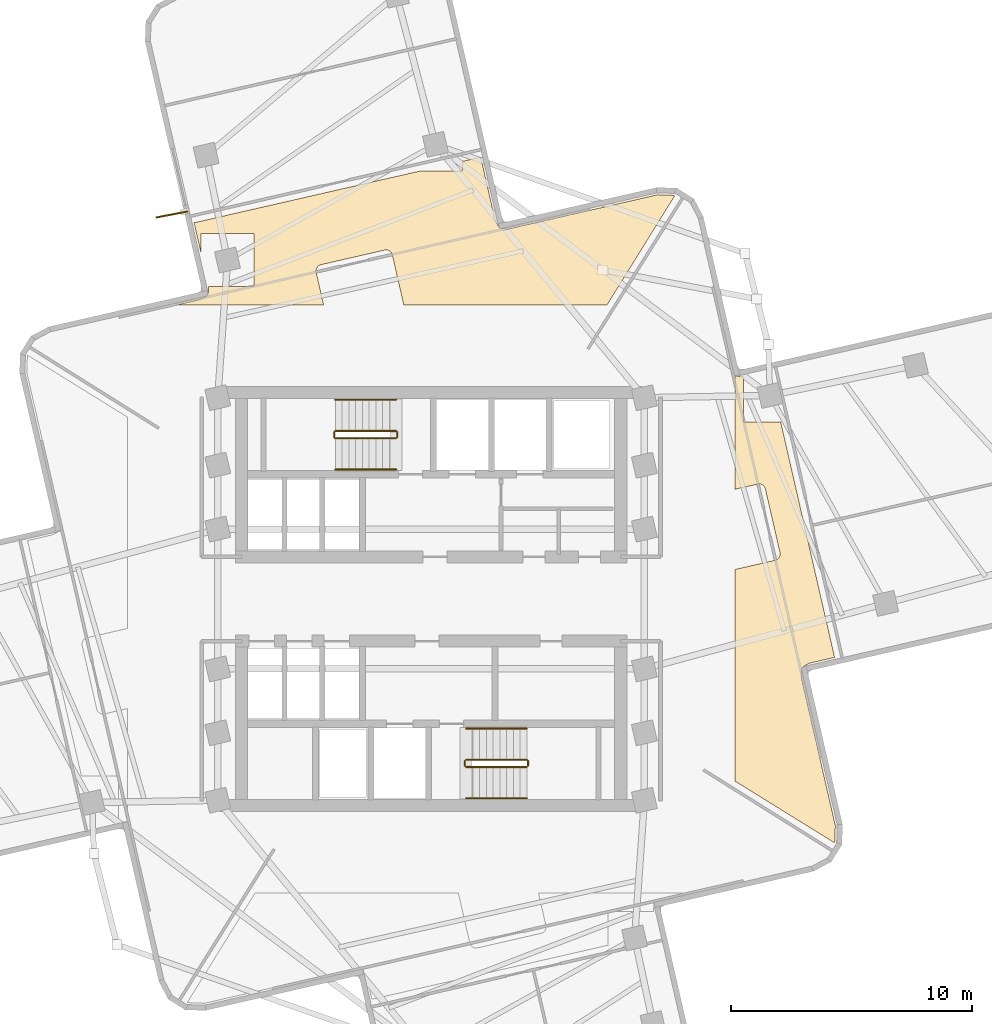
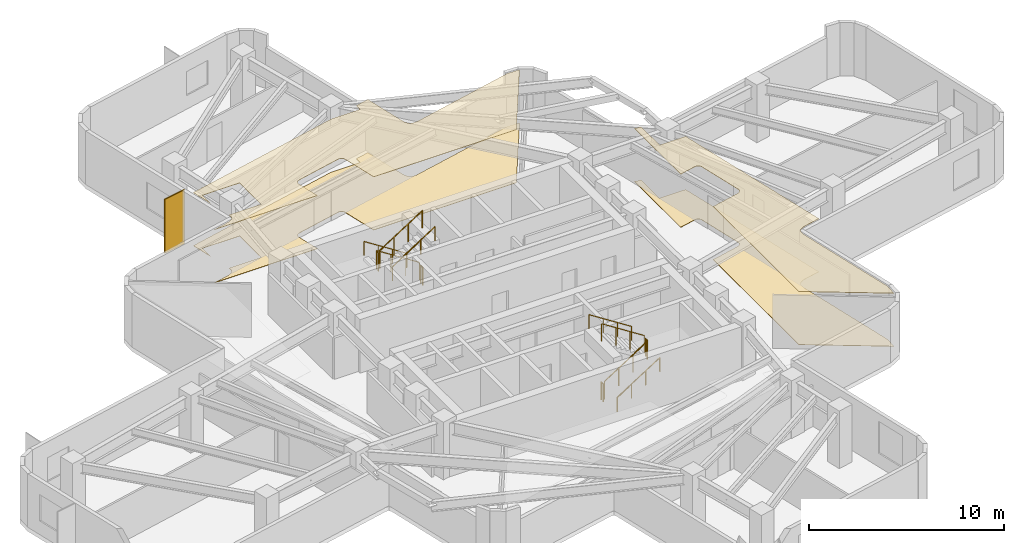
# One storey, part 7 of 8: 12 railings, 4 coverings, 1 shading device.
"""IFC4 building model written with IfcOpenShell, lengths in metres."""

from ifc_helpers import new_model, si_unit, direction, frame, origin, origin_2d, place, context, subcontext, project, spatial, polyline, rectangle, circle, outline, extrude, material, layer, layer_set, type_object, element, save


model = new_model("IFC4")

# Units and contexts
model_context = context("Model", 3, precision=1e-05, world=origin(), true_north=direction((0.0, 1.0)))
body_context = subcontext(model_context, "Body", "Model", "MODEL_VIEW")
ifc_project = project(units=[si_unit("LENGTHUNIT", "METRE"), si_unit("AREAUNIT", "SQUARE_METRE"), si_unit("VOLUMEUNIT", "CUBIC_METRE"), si_unit("PLANEANGLEUNIT", "RADIAN"), si_unit("MASSUNIT", "GRAM", prefix="KILO")], contexts=[model_context])

# Site, building, storey
site_placement = place(None, origin())
site = spatial("IfcSite", under=ifc_project, at=site_placement, CompositionType="ELEMENT")
building_placement = place(site_placement, origin())
building = spatial("IfcBuilding", under=site, at=building_placement, Name="Solmarez Civic Tower", CompositionType="ELEMENT")
storey_placement = place(building_placement, frame((0.0, 0.0, 123.47998046875)))
storey = spatial("IfcBuildingStorey", under=building, at=storey_placement, Name="L32", CompositionType="ELEMENT", Elevation=123.47998046875)

# Coverings
ifc_material_1 = material(Name="Perforated Mineral-Fibre Acoustic Ceiling")
ifc_layer_1 = layer(ifc_material_1, 0.02490234375)
ifc_layer_set_1 = layer_set([ifc_layer_1], Name="Perforated Mineral-Fibre Acoustic Ceiling")
covering_type_1 = type_object("IfcCoveringType", Name="COV-CEIL-ACOUSTIC", PredefinedType="CEILING", material=ifc_layer_set_1)
covering_1_placement = place(storey_placement, frame((0.0, 0.0, 3.31494140625)))
element("IfcCovering", 1, at=covering_1_placement, inside=storey, type_object=covering_type_1, Name="L32 Suspended Acoustic Ceiling 1", PredefinedType="CEILING", context=body_context, shape_type="SweptSolid", body=[
    extrude(outline(polyline([(-9.83203125, 15.60888671875), (-9.544921875, 14.35205078125), (-9.544921875, 15.1640625), (-7.344970703125, 15.1640625), (-7.344970703125, 12.964111328125), (-9.23388671875, 12.962890625), (-9.23388671875, 12.9560546875), (-9.23388671875, 12.947998046875), (-9.239990234375, 12.77587890625), (-9.241943359375, 12.7529296875), (-9.242919921875, 12.748046875), (-9.243896484375, 12.741943359375), (-9.24609375, 12.72509765625), (-9.25, 12.708984375), (-9.251953125, 12.701904296875), (-9.261962890625, 12.675048828125), (-9.264892578125, 12.66796875), (-9.26806640625, 12.660888671875), (-9.277099609375, 12.64306640625), (-9.287109375, 12.6259765625), (-9.291015625, 12.6201171875), (-9.304931640625, 12.60107421875), (-9.31005859375, 12.594970703125), (-9.31494140625, 12.589111328125), (-9.327880859375, 12.573974609375), (-9.343017578125, 12.56103515625), (-9.34912109375, 12.555908203125), (-9.367919921875, 12.5419921875), (-9.3740234375, 12.5380859375), (-9.386962890625, 12.530029296875), (-9.39404296875, 12.52587890625), (-9.39990234375, 12.52294921875), (-9.552001953125, 12.44189453125), (-9.556884765625, 12.43896484375), (-9.56298828125, 12.43603515625), (-9.591064453125, 12.424072265625), (-9.596923828125, 12.422119140625), (-9.60693359375, 12.4189453125), (-9.614013671875, 12.4169921875), (-9.625, 12.4150390625), (-10.56201171875, 12.199951171875), (-4.45703125, 12.199951171875), (-4.764892578125, 13.548095703125), (-4.76708984375, 13.553955078125), (-4.76806640625, 13.55908203125), (-4.77099609375, 13.580078125), (-4.77197265625, 13.60205078125), (-4.77197265625, 13.611083984375), (-4.77099609375, 13.633056640625), (-4.76806640625, 13.654052734375), (-4.76708984375, 13.658935546875), (-4.76611328125, 13.6640625), (-4.759033203125, 13.69091796875), (-4.756103515625, 13.699951171875), (-4.7470703125, 13.721923828125), (-4.736083984375, 13.742919921875), (-4.73291015625, 13.748046875), (-4.721923828125, 13.763916015625), (-4.7109375, 13.778076171875), (-4.7060546875, 13.783935546875), (-4.697998046875, 13.7939453125), (-4.68408203125, 13.80810546875), (-4.66796875, 13.821044921875), (-4.652099609375, 13.8330078125), (-4.64404296875, 13.837890625), (-4.615966796875, 13.85205078125), (-4.60693359375, 13.85595703125), (-4.60009765625, 13.85888671875), (-4.594970703125, 13.861083984375), (-4.5791015625, 13.866943359375), (-4.56201171875, 13.87109375), (-1.929931640625, 14.47412109375), (-1.924072265625, 14.47607421875), (-1.9189453125, 14.47705078125), (-1.89794921875, 14.47998046875), (-1.8759765625, 14.48095703125), (-1.866943359375, 14.48095703125), (-1.844970703125, 14.47998046875), (-1.823974609375, 14.47705078125), (-1.819091796875, 14.47607421875), (-1.81396484375, 14.47509765625), (-1.787109375, 14.468017578125), (-1.778076171875, 14.465087890625), (-1.756103515625, 14.4560546875), (-1.735107421875, 14.445068359375), (-1.72998046875, 14.44189453125), (-1.714111328125, 14.430908203125), (-1.699951171875, 14.419921875), (-1.694091796875, 14.4150390625), (-1.68408203125, 14.406982421875), (-1.669921875, 14.39306640625), (-1.656982421875, 14.376953125), (-1.64501953125, 14.361083984375), (-1.639892578125, 14.35302734375), (-1.6259765625, 14.324951171875), (-1.6220703125, 14.31591796875), (-1.618896484375, 14.30908203125), (-1.616943359375, 14.303955078125), (-1.611083984375, 14.2880859375), (-1.60693359375, 14.27099609375), (-1.132080078125, 12.199951171875), (7.301025390625, 12.199951171875), (10.116943359375, 16.742919921875), (10.111083984375, 16.74609375), (9.403076171875, 16.77294921875), (3.26708984375, 15.367919921875), (3.25390625, 15.364013671875), (3.23095703125, 15.360107421875), (3.20703125, 15.35888671875), (3.193115234375, 15.35888671875), (3.18505859375, 15.35888671875), (3.012939453125, 15.364990234375), (2.993896484375, 15.366943359375), (2.98193359375, 15.367919921875), (2.97509765625, 15.368896484375), (2.952880859375, 15.3740234375), (2.945068359375, 15.3759765625), (2.927978515625, 15.381103515625), (2.910888671875, 15.386962890625), (2.89697265625, 15.39306640625), (2.87890625, 15.402099609375), (2.862060546875, 15.412109375), (2.85595703125, 15.416015625), (2.8369140625, 15.429931640625), (2.8310546875, 15.43505859375), (2.824951171875, 15.43994140625), (2.81005859375, 15.452880859375), (2.797119140625, 15.468017578125), (2.7919921875, 15.47412109375), (2.778076171875, 15.492919921875), (2.77001953125, 15.5048828125), (2.759033203125, 15.52392578125), (2.677978515625, 15.676025390625), (2.669921875, 15.69189453125), (2.6669921875, 15.698974609375), (2.659912109375, 15.716064453125), (2.657958984375, 15.721923828125), (2.655029296875, 15.73193359375), (2.653076171875, 15.739013671875), (2.65087890625, 15.75), (2.06005859375, 18.33203125), (1.282958984375, 18.155029296875), (1.282958984375, 17.760009765625), (-0.43994140625, 17.760009765625), (-9.83203125, 15.60888671875)])), origin(), (0.0, 0.0, 1.0), 0.025146484375),
])
covering_2_placement = place(storey_placement, frame((0.0, 0.0, 3.31494140625)))
element("IfcCovering", 2, at=covering_2_placement, inside=storey, type_object=covering_type_1, Name="L32 Suspended Acoustic Ceiling 3", PredefinedType="CEILING", context=body_context, shape_type="SweptSolid", body=[
    extrude(outline(polyline([(12.60009765625, 4.548095703125), (13.548095703125, 4.764892578125), (13.553955078125, 4.76708984375), (13.55908203125, 4.76806640625), (13.580078125, 4.77099609375), (13.60205078125, 4.77197265625), (13.611083984375, 4.77197265625), (13.633056640625, 4.77099609375), (13.654052734375, 4.76806640625), (13.658935546875, 4.76708984375), (13.6640625, 4.76611328125), (13.69091796875, 4.759033203125), (13.699951171875, 4.756103515625), (13.721923828125, 4.7470703125), (13.742919921875, 4.736083984375), (13.748046875, 4.73291015625), (13.763916015625, 4.721923828125), (13.778076171875, 4.7109375), (13.783935546875, 4.7060546875), (13.7939453125, 4.697998046875), (13.80810546875, 4.68408203125), (13.821044921875, 4.66796875), (13.8330078125, 4.652099609375), (13.837890625, 4.64404296875), (13.85205078125, 4.615966796875), (13.85595703125, 4.60693359375), (13.85888671875, 4.60009765625), (13.861083984375, 4.594970703125), (13.866943359375, 4.5791015625), (13.87109375, 4.56201171875), (14.47412109375, 1.929931640625), (14.47607421875, 1.924072265625), (14.47705078125, 1.9189453125), (14.47998046875, 1.89794921875), (14.48095703125, 1.8759765625), (14.48095703125, 1.866943359375), (14.47998046875, 1.844970703125), (14.47705078125, 1.823974609375), (14.47607421875, 1.819091796875), (14.47509765625, 1.81396484375), (14.468017578125, 1.787109375), (14.465087890625, 1.778076171875), (14.4560546875, 1.756103515625), (14.445068359375, 1.735107421875), (14.44189453125, 1.72998046875), (14.430908203125, 1.714111328125), (14.419921875, 1.699951171875), (14.4150390625, 1.694091796875), (14.406982421875, 1.68408203125), (14.39306640625, 1.669921875), (14.376953125, 1.656982421875), (14.361083984375, 1.64501953125), (14.35302734375, 1.639892578125), (14.324951171875, 1.6259765625), (14.31591796875, 1.6220703125), (14.30908203125, 1.618896484375), (14.303955078125, 1.616943359375), (14.2880859375, 1.611083984375), (14.27099609375, 1.60693359375), (12.60009765625, 1.222900390625), (12.60009765625, -7.550048828125), (16.742919921875, -10.116943359375), (16.74609375, -10.111083984375), (16.77294921875, -9.403076171875), (15.367919921875, -3.26708984375), (15.364013671875, -3.25390625), (15.360107421875, -3.23095703125), (15.35888671875, -3.20703125), (15.35888671875, -3.193115234375), (15.35888671875, -3.18505859375), (15.364990234375, -3.012939453125), (15.366943359375, -2.993896484375), (15.367919921875, -2.98193359375), (15.368896484375, -2.97509765625), (15.3740234375, -2.952880859375), (15.3759765625, -2.945068359375), (15.381103515625, -2.927978515625), (15.386962890625, -2.910888671875), (15.39306640625, -2.89697265625), (15.402099609375, -2.87890625), (15.412109375, -2.862060546875), (15.416015625, -2.85595703125), (15.429931640625, -2.8369140625), (15.43505859375, -2.8310546875), (15.43994140625, -2.824951171875), (15.452880859375, -2.81005859375), (15.468017578125, -2.797119140625), (15.47412109375, -2.7919921875), (15.492919921875, -2.778076171875), (15.5048828125, -2.77001953125), (15.52392578125, -2.759033203125), (15.676025390625, -2.677978515625), (15.69189453125, -2.669921875), (15.698974609375, -2.6669921875), (15.716064453125, -2.659912109375), (15.721923828125, -2.657958984375), (15.73193359375, -2.655029296875), (15.739013671875, -2.653076171875), (15.75, -2.65087890625), (16.742919921875, -2.423095703125), (14.506103515625, 7.344970703125), (12.964111328125, 7.344970703125), (12.962890625, 9.23388671875), (12.9560546875, 9.23388671875), (12.947998046875, 9.23388671875), (12.77587890625, 9.239990234375), (12.7529296875, 9.241943359375), (12.748046875, 9.242919921875), (12.741943359375, 9.243896484375), (12.72509765625, 9.24609375), (12.708984375, 9.25), (12.701904296875, 9.251953125), (12.675048828125, 9.261962890625), (12.66796875, 9.264892578125), (12.660888671875, 9.26806640625), (12.64306640625, 9.277099609375), (12.6259765625, 9.287109375), (12.6201171875, 9.291015625), (12.60107421875, 9.304931640625), (12.60009765625, 4.548095703125)])), origin(), (0.0, 0.0, 1.0), 0.025146484375),
])
ifc_material_2 = material(Name="Polished Tropical Stone Terrazzo Flooring", Category="masonry")
ifc_layer_2 = layer(ifc_material_2, 0.02001953125)
ifc_layer_set_2 = layer_set([ifc_layer_2], Name="Polished Tropical Stone Terrazzo Flooring")
covering_type_2 = type_object("IfcCoveringType", Name="COV-FLOOR-TERRAZZO", PredefinedType="FLOORING", material=ifc_layer_set_2)
covering_3_placement = place(storey_placement, origin())
element("IfcCovering", 3, at=covering_3_placement, inside=storey, type_object=covering_type_2, Name="L32 Terrazzo Floor Finish 1", PredefinedType="FLOORING", context=body_context, shape_type="SweptSolid", body=[
    extrude(outline(polyline([(-9.83203125, 15.60888671875), (-9.544921875, 14.35205078125), (-9.544921875, 15.1640625), (-7.344970703125, 15.1640625), (-7.344970703125, 12.964111328125), (-9.23388671875, 12.962890625), (-9.23388671875, 12.9560546875), (-9.23388671875, 12.947998046875), (-9.239990234375, 12.77587890625), (-9.241943359375, 12.7529296875), (-9.242919921875, 12.748046875), (-9.243896484375, 12.741943359375), (-9.24609375, 12.72509765625), (-9.25, 12.708984375), (-9.251953125, 12.701904296875), (-9.261962890625, 12.675048828125), (-9.264892578125, 12.66796875), (-9.26806640625, 12.660888671875), (-9.277099609375, 12.64306640625), (-9.287109375, 12.6259765625), (-9.291015625, 12.6201171875), (-9.304931640625, 12.60107421875), (-9.31005859375, 12.594970703125), (-9.31494140625, 12.589111328125), (-9.327880859375, 12.573974609375), (-9.343017578125, 12.56103515625), (-9.34912109375, 12.555908203125), (-9.367919921875, 12.5419921875), (-9.3740234375, 12.5380859375), (-9.386962890625, 12.530029296875), (-9.39404296875, 12.52587890625), (-9.39990234375, 12.52294921875), (-9.552001953125, 12.44189453125), (-9.556884765625, 12.43896484375), (-9.56298828125, 12.43603515625), (-9.591064453125, 12.424072265625), (-9.596923828125, 12.422119140625), (-9.60693359375, 12.4189453125), (-9.614013671875, 12.4169921875), (-9.625, 12.4150390625), (-10.56201171875, 12.199951171875), (-4.45703125, 12.199951171875), (-4.764892578125, 13.548095703125), (-4.76708984375, 13.553955078125), (-4.76806640625, 13.55908203125), (-4.77099609375, 13.580078125), (-4.77197265625, 13.60205078125), (-4.77197265625, 13.611083984375), (-4.77099609375, 13.633056640625), (-4.76806640625, 13.654052734375), (-4.76708984375, 13.658935546875), (-4.76611328125, 13.6640625), (-4.759033203125, 13.69091796875), (-4.756103515625, 13.699951171875), (-4.7470703125, 13.721923828125), (-4.736083984375, 13.742919921875), (-4.73291015625, 13.748046875), (-4.721923828125, 13.763916015625), (-4.7109375, 13.778076171875), (-4.7060546875, 13.783935546875), (-4.697998046875, 13.7939453125), (-4.68408203125, 13.80810546875), (-4.66796875, 13.821044921875), (-4.652099609375, 13.8330078125), (-4.64404296875, 13.837890625), (-4.615966796875, 13.85205078125), (-4.60693359375, 13.85595703125), (-4.60009765625, 13.85888671875), (-4.594970703125, 13.861083984375), (-4.5791015625, 13.866943359375), (-4.56201171875, 13.87109375), (-1.929931640625, 14.47412109375), (-1.924072265625, 14.47607421875), (-1.9189453125, 14.47705078125), (-1.89794921875, 14.47998046875), (-1.8759765625, 14.48095703125), (-1.866943359375, 14.48095703125), (-1.844970703125, 14.47998046875), (-1.823974609375, 14.47705078125), (-1.819091796875, 14.47607421875), (-1.81396484375, 14.47509765625), (-1.787109375, 14.468017578125), (-1.778076171875, 14.465087890625), (-1.756103515625, 14.4560546875), (-1.735107421875, 14.445068359375), (-1.72998046875, 14.44189453125), (-1.714111328125, 14.430908203125), (-1.699951171875, 14.419921875), (-1.694091796875, 14.4150390625), (-1.68408203125, 14.406982421875), (-1.669921875, 14.39306640625), (-1.656982421875, 14.376953125), (-1.64501953125, 14.361083984375), (-1.639892578125, 14.35302734375), (-1.6259765625, 14.324951171875), (-1.6220703125, 14.31591796875), (-1.618896484375, 14.30908203125), (-1.616943359375, 14.303955078125), (-1.611083984375, 14.2880859375), (-1.60693359375, 14.27099609375), (-1.132080078125, 12.199951171875), (7.301025390625, 12.199951171875), (10.116943359375, 16.742919921875), (10.111083984375, 16.74609375), (9.403076171875, 16.77294921875), (3.26708984375, 15.367919921875), (3.25390625, 15.364013671875), (3.23095703125, 15.360107421875), (3.20703125, 15.35888671875), (3.193115234375, 15.35888671875), (3.18505859375, 15.35888671875), (3.012939453125, 15.364990234375), (2.993896484375, 15.366943359375), (2.98193359375, 15.367919921875), (2.97509765625, 15.368896484375), (2.952880859375, 15.3740234375), (2.945068359375, 15.3759765625), (2.927978515625, 15.381103515625), (2.910888671875, 15.386962890625), (2.89697265625, 15.39306640625), (2.87890625, 15.402099609375), (2.862060546875, 15.412109375), (2.85595703125, 15.416015625), (2.8369140625, 15.429931640625), (2.8310546875, 15.43505859375), (2.824951171875, 15.43994140625), (2.81005859375, 15.452880859375), (2.797119140625, 15.468017578125), (2.7919921875, 15.47412109375), (2.778076171875, 15.492919921875), (2.77001953125, 15.5048828125), (2.759033203125, 15.52392578125), (2.677978515625, 15.676025390625), (2.669921875, 15.69189453125), (2.6669921875, 15.698974609375), (2.659912109375, 15.716064453125), (2.657958984375, 15.721923828125), (2.655029296875, 15.73193359375), (2.653076171875, 15.739013671875), (2.65087890625, 15.75), (2.06005859375, 18.33203125), (1.282958984375, 18.155029296875), (1.282958984375, 17.760009765625), (-0.43994140625, 17.760009765625), (-9.83203125, 15.60888671875)])), origin(), (0.0, 0.0, 1.0), 0.02001953125),
])
covering_4_placement = place(storey_placement, origin())
element("IfcCovering", 4, at=covering_4_placement, inside=storey, type_object=covering_type_2, Name="L32 Terrazzo Floor Finish 3", PredefinedType="FLOORING", context=body_context, shape_type="SweptSolid", body=[
    extrude(outline(polyline([(12.60009765625, 4.548095703125), (13.548095703125, 4.764892578125), (13.553955078125, 4.76708984375), (13.55908203125, 4.76806640625), (13.580078125, 4.77099609375), (13.60205078125, 4.77197265625), (13.611083984375, 4.77197265625), (13.633056640625, 4.77099609375), (13.654052734375, 4.76806640625), (13.658935546875, 4.76708984375), (13.6640625, 4.76611328125), (13.69091796875, 4.759033203125), (13.699951171875, 4.756103515625), (13.721923828125, 4.7470703125), (13.742919921875, 4.736083984375), (13.748046875, 4.73291015625), (13.763916015625, 4.721923828125), (13.778076171875, 4.7109375), (13.783935546875, 4.7060546875), (13.7939453125, 4.697998046875), (13.80810546875, 4.68408203125), (13.821044921875, 4.66796875), (13.8330078125, 4.652099609375), (13.837890625, 4.64404296875), (13.85205078125, 4.615966796875), (13.85595703125, 4.60693359375), (13.85888671875, 4.60009765625), (13.861083984375, 4.594970703125), (13.866943359375, 4.5791015625), (13.87109375, 4.56201171875), (14.47412109375, 1.929931640625), (14.47607421875, 1.924072265625), (14.47705078125, 1.9189453125), (14.47998046875, 1.89794921875), (14.48095703125, 1.8759765625), (14.48095703125, 1.866943359375), (14.47998046875, 1.844970703125), (14.47705078125, 1.823974609375), (14.47607421875, 1.819091796875), (14.47509765625, 1.81396484375), (14.468017578125, 1.787109375), (14.465087890625, 1.778076171875), (14.4560546875, 1.756103515625), (14.445068359375, 1.735107421875), (14.44189453125, 1.72998046875), (14.430908203125, 1.714111328125), (14.419921875, 1.699951171875), (14.4150390625, 1.694091796875), (14.406982421875, 1.68408203125), (14.39306640625, 1.669921875), (14.376953125, 1.656982421875), (14.361083984375, 1.64501953125), (14.35302734375, 1.639892578125), (14.324951171875, 1.6259765625), (14.31591796875, 1.6220703125), (14.30908203125, 1.618896484375), (14.303955078125, 1.616943359375), (14.2880859375, 1.611083984375), (14.27099609375, 1.60693359375), (12.60009765625, 1.222900390625), (12.60009765625, -7.550048828125), (16.742919921875, -10.116943359375), (16.74609375, -10.111083984375), (16.77294921875, -9.403076171875), (15.367919921875, -3.26708984375), (15.364013671875, -3.25390625), (15.360107421875, -3.23095703125), (15.35888671875, -3.20703125), (15.35888671875, -3.193115234375), (15.35888671875, -3.18505859375), (15.364990234375, -3.012939453125), (15.366943359375, -2.993896484375), (15.367919921875, -2.98193359375), (15.368896484375, -2.97509765625), (15.3740234375, -2.952880859375), (15.3759765625, -2.945068359375), (15.381103515625, -2.927978515625), (15.386962890625, -2.910888671875), (15.39306640625, -2.89697265625), (15.402099609375, -2.87890625), (15.412109375, -2.862060546875), (15.416015625, -2.85595703125), (15.429931640625, -2.8369140625), (15.43505859375, -2.8310546875), (15.43994140625, -2.824951171875), (15.452880859375, -2.81005859375), (15.468017578125, -2.797119140625), (15.47412109375, -2.7919921875), (15.492919921875, -2.778076171875), (15.5048828125, -2.77001953125), (15.52392578125, -2.759033203125), (15.676025390625, -2.677978515625), (15.69189453125, -2.669921875), (15.698974609375, -2.6669921875), (15.716064453125, -2.659912109375), (15.721923828125, -2.657958984375), (15.73193359375, -2.655029296875), (15.739013671875, -2.653076171875), (15.75, -2.65087890625), (16.742919921875, -2.423095703125), (14.506103515625, 7.344970703125), (12.964111328125, 7.344970703125), (12.962890625, 9.23388671875), (12.9560546875, 9.23388671875), (12.947998046875, 9.23388671875), (12.77587890625, 9.239990234375), (12.7529296875, 9.241943359375), (12.748046875, 9.242919921875), (12.741943359375, 9.243896484375), (12.72509765625, 9.24609375), (12.708984375, 9.25), (12.701904296875, 9.251953125), (12.675048828125, 9.261962890625), (12.66796875, 9.264892578125), (12.660888671875, 9.26806640625), (12.64306640625, 9.277099609375), (12.6259765625, 9.287109375), (12.6201171875, 9.291015625), (12.60107421875, 9.304931640625), (12.60009765625, 4.548095703125)])), origin(), (0.0, 0.0, 1.0), 0.02001953125),
])

# Shading device
ifc_material_3 = material(Name="Bronze Anodised Aluminium EN AW-6063 T6", Category="aluminium")
ifc_layer_3 = layer(ifc_material_3, 0.06005859375)
ifc_layer_set_3 = layer_set([ifc_layer_3], Name="Bronze Anodised Aluminium EN AW-6063 T6")
shading_device_type = type_object("IfcShadingDeviceType", Name="FIN-BRONZE-Z34", PredefinedType="USERDEFINED", material=ifc_layer_set_3)
shading_device_placement = place(storey_placement, frame((-10.748046875, 15.955078125, -0.0400390625), z_axis=(0.0, 0.0, 1.0), x_axis=(-0.981746878502, -0.190192183203, 0.0)))
element("IfcShadingDevice", 5, at=shading_device_placement, inside=storey, type_object=shading_device_type, Name="L32 Anodised Bronze Solar Fin FIN-L32-03", ObjectType="FIN", PredefinedType="USERDEFINED", context=body_context, shape_type="SweptSolid", body=[
    extrude(rectangle(XDim=1.35009765625, YDim=0.06005859375, at=origin_2d()), origin(), (0.0, 0.0, 1.0), 3.3798828125),
])

# Railings
ifc_material_4 = material(Name="Painted Steel Stairwell Safety Guard", Category="steel")
railing_type_1 = type_object("IfcRailingType", Name="GUARD-STAIR-1120", PredefinedType="BALUSTRADE", material=ifc_material_4)
railing_1_placement = place(storey_placement, frame((-1.449951171875, 6.969970703125, 0.179931640625)))
element("IfcRailing", 6, at=railing_1_placement, inside=storey, type_object=railing_type_1, Name="L32 ST-1 stair guard 1", PredefinedType="BALUSTRADE", context=body_context, shape_type="SweptSolid", body=[
    extrude(circle(Radius=0.02392578125, at=origin_2d()), frame((0.0, 0.0, 1.09619140625), z_axis=(-0.841162588446, 0.0, 0.540782303519), x_axis=(0.0, -1.0, 0.0)), (0.0, 0.0, 1.0), 2.995849609375),
    extrude(circle(Radius=0.02099609375, at=origin_2d()), origin(), (0.0, 0.0, 1.0), 1.072021484375),
    extrude(circle(Radius=0.02099609375, at=origin_2d()), frame((-0.840087890625, 0.0, 0.5400390625)), (0.0, 0.0, 1.0), 1.072021484375),
    extrude(circle(Radius=0.02099609375, at=origin_2d()), frame((-1.679931640625, 0.0, 1.080078125)), (0.0, 0.0, 1.0), 1.072021484375),
    extrude(circle(Radius=0.02099609375, at=origin_2d()), frame((-2.52001953125, 0.0, 1.6201171875)), (0.0, 0.0, 1.0), 1.072021484375),
])
railing_2_placement = place(storey_placement, frame((-4.02001953125, 6.919921875, 1.800048828125)))
element("IfcRailing", 7, at=railing_2_placement, inside=storey, type_object=railing_type_1, Name="L32 ST-1 stair guard 2", PredefinedType="BALUSTRADE", context=body_context, shape_type="SweptSolid", body=[
    extrude(circle(Radius=0.02392578125, at=origin_2d()), frame((0.0, 0.0, 1.09619140625), z_axis=(0.0, -1.0, 0.0), x_axis=(1.0, 0.0, 0.0)), (0.0, 0.0, 1.0), 0.199951171875),
    extrude(circle(Radius=0.02099609375, at=origin_2d()), origin(), (0.0, 0.0, 1.0), 1.072021484375),
    extrude(circle(Radius=0.02099609375, at=origin_2d()), frame((0.0, -0.199951171875, 0.0)), (0.0, 0.0, 1.0), 1.072021484375),
])
railing_3_placement = place(storey_placement, frame((-3.969970703125, 6.669921875, 1.97998046875)))
element("IfcRailing", 8, at=railing_3_placement, inside=storey, type_object=railing_type_1, Name="L32 ST-1 stair guard 3", PredefinedType="BALUSTRADE", context=body_context, shape_type="SweptSolid", body=[
    extrude(circle(Radius=0.02392578125, at=origin_2d()), frame((0.0, 0.0, 1.09619140625), z_axis=(0.841162588446, 0.0, 0.540782303519), x_axis=(0.0, 1.0, 0.0)), (0.0, 0.0, 1.0), 2.995849609375),
    extrude(circle(Radius=0.02099609375, at=origin_2d()), origin(), (0.0, 0.0, 1.0), 1.072021484375),
    extrude(circle(Radius=0.02099609375, at=origin_2d()), frame((0.840087890625, 0.0, 0.5400390625)), (0.0, 0.0, 1.0), 1.072021484375),
    extrude(circle(Radius=0.02099609375, at=origin_2d()), frame((1.679931640625, 0.0, 1.080078125)), (0.0, 0.0, 1.0), 1.072021484375),
    extrude(circle(Radius=0.02099609375, at=origin_2d()), frame((2.52001953125, 0.0, 1.6201171875)), (0.0, 0.0, 1.0), 1.072021484375),
])
railing_4_placement = place(storey_placement, frame((-1.39990234375, 6.919921875, 0.0)))
element("IfcRailing", 9, at=railing_4_placement, inside=storey, type_object=railing_type_1, Name="L32 ST-1 stair guard 4", PredefinedType="BALUSTRADE", context=body_context, shape_type="SweptSolid", body=[
    extrude(circle(Radius=0.02392578125, at=origin_2d()), frame((0.0, 0.0, 1.09619140625), z_axis=(0.0, -1.0, 0.0), x_axis=(1.0, 0.0, 0.0)), (0.0, 0.0, 1.0), 0.199951171875),
    extrude(circle(Radius=0.02099609375, at=origin_2d()), origin(), (0.0, 0.0, 1.0), 1.072021484375),
    extrude(circle(Radius=0.02099609375, at=origin_2d()), frame((0.0, -0.199951171875, 0.0)), (0.0, 0.0, 1.0), 1.072021484375),
])
railing_5_placement = place(storey_placement, frame((1.449951171875, -6.969970703125, 0.179931640625)))
element("IfcRailing", 10, at=railing_5_placement, inside=storey, type_object=railing_type_1, Name="L32 ST-2 stair guard 1", PredefinedType="BALUSTRADE", context=body_context, shape_type="SweptSolid", body=[
    extrude(circle(Radius=0.02392578125, at=origin_2d()), frame((0.0, 0.0, 1.09619140625), z_axis=(0.841162588446, 0.0, 0.540782303519), x_axis=(0.0, 1.0, 0.0)), (0.0, 0.0, 1.0), 2.995849609375),
    extrude(circle(Radius=0.02099609375, at=origin_2d()), origin(), (0.0, 0.0, 1.0), 1.072021484375),
    extrude(circle(Radius=0.02099609375, at=origin_2d()), frame((0.840087890625, 0.0, 0.5400390625)), (0.0, 0.0, 1.0), 1.072021484375),
    extrude(circle(Radius=0.02099609375, at=origin_2d()), frame((1.679931640625, 0.0, 1.080078125)), (0.0, 0.0, 1.0), 1.072021484375),
    extrude(circle(Radius=0.02099609375, at=origin_2d()), frame((2.52001953125, 0.0, 1.6201171875)), (0.0, 0.0, 1.0), 1.072021484375),
])
railing_6_placement = place(storey_placement, frame((4.02001953125, -6.919921875, 1.800048828125)))
element("IfcRailing", 11, at=railing_6_placement, inside=storey, type_object=railing_type_1, Name="L32 ST-2 stair guard 2", PredefinedType="BALUSTRADE", context=body_context, shape_type="SweptSolid", body=[
    extrude(circle(Radius=0.02392578125, at=origin_2d()), frame((0.0, 0.0, 1.09619140625), z_axis=(0.0, 1.0, 0.0), x_axis=(-1.0, 0.0, 0.0)), (0.0, 0.0, 1.0), 0.199951171875),
    extrude(circle(Radius=0.02099609375, at=origin_2d()), origin(), (0.0, 0.0, 1.0), 1.072021484375),
    extrude(circle(Radius=0.02099609375, at=origin_2d()), frame((0.0, 0.199951171875, 0.0)), (0.0, 0.0, 1.0), 1.072021484375),
])
railing_7_placement = place(storey_placement, frame((3.969970703125, -6.669921875, 1.97998046875)))
element("IfcRailing", 12, at=railing_7_placement, inside=storey, type_object=railing_type_1, Name="L32 ST-2 stair guard 3", PredefinedType="BALUSTRADE", context=body_context, shape_type="SweptSolid", body=[
    extrude(circle(Radius=0.02392578125, at=origin_2d()), frame((0.0, 0.0, 1.09619140625), z_axis=(-0.841162588446, 0.0, 0.540782303519), x_axis=(0.0, -1.0, 0.0)), (0.0, 0.0, 1.0), 2.995849609375),
    extrude(circle(Radius=0.02099609375, at=origin_2d()), origin(), (0.0, 0.0, 1.0), 1.072021484375),
    extrude(circle(Radius=0.02099609375, at=origin_2d()), frame((-0.840087890625, 0.0, 0.5400390625)), (0.0, 0.0, 1.0), 1.072021484375),
    extrude(circle(Radius=0.02099609375, at=origin_2d()), frame((-1.679931640625, 0.0, 1.080078125)), (0.0, 0.0, 1.0), 1.072021484375),
    extrude(circle(Radius=0.02099609375, at=origin_2d()), frame((-2.52001953125, 0.0, 1.6201171875)), (0.0, 0.0, 1.0), 1.072021484375),
])
railing_8_placement = place(storey_placement, frame((1.39990234375, -6.919921875, 0.0)))
element("IfcRailing", 13, at=railing_8_placement, inside=storey, type_object=railing_type_1, Name="L32 ST-2 stair guard 4", PredefinedType="BALUSTRADE", context=body_context, shape_type="SweptSolid", body=[
    extrude(circle(Radius=0.02392578125, at=origin_2d()), frame((0.0, 0.0, 1.09619140625), z_axis=(0.0, 1.0, 0.0), x_axis=(-1.0, 0.0, 0.0)), (0.0, 0.0, 1.0), 0.199951171875),
    extrude(circle(Radius=0.02099609375, at=origin_2d()), origin(), (0.0, 0.0, 1.0), 1.072021484375),
    extrude(circle(Radius=0.02099609375, at=origin_2d()), frame((0.0, 0.199951171875, 0.0)), (0.0, 0.0, 1.0), 1.072021484375),
])
ifc_material_5 = material(Name="Brushed Stainless Steel Tube Handrail", Category="steel")
railing_type_2 = type_object("IfcRailingType", Name="HANDRAIL-STAIR-900", PredefinedType="HANDRAIL", material=ifc_material_5)
railing_9_placement = place(storey_placement, frame((-1.449951171875, 8.27001953125, 0.179931640625)))
element("IfcRailing", 14, at=railing_9_placement, inside=storey, type_object=railing_type_2, Name="L32 ST-1 stair handrail 1", PredefinedType="HANDRAIL", context=body_context, shape_type="SweptSolid", body=[
    extrude(circle(Radius=0.02392578125, at=origin_2d()), frame((0.0, 0.0, 0.8759765625), z_axis=(-0.841162588446, 0.0, 0.540782303519), x_axis=(0.0, -1.0, 0.0)), (0.0, 0.0, 1.0), 2.995849609375),
    extrude(circle(Radius=0.02099609375, at=origin_2d()), origin(), (0.0, 0.0, 1.0), 0.851806640625),
    extrude(circle(Radius=0.02099609375, at=origin_2d()), frame((-0.840087890625, 0.0, 0.5400390625)), (0.0, 0.0, 1.0), 0.851806640625),
    extrude(circle(Radius=0.02099609375, at=origin_2d()), frame((-1.679931640625, 0.0, 1.080078125)), (0.0, 0.0, 1.0), 0.851806640625),
    extrude(circle(Radius=0.02099609375, at=origin_2d()), frame((-2.52001953125, 0.0, 1.6201171875)), (0.0, 0.0, 1.0), 0.851806640625),
])
for number, where, name in (
    (15, (-3.969970703125, 5.3701171875, 1.97998046875), "L32 ST-1 stair handrail 2"),
    (16, (1.449951171875, -8.27001953125, 0.179931640625), "L32 ST-2 stair handrail 1"),
):
    element("IfcRailing", number, at=place(storey_placement, frame(where)), inside=storey, type_object=railing_type_2, Name=name, PredefinedType="HANDRAIL", context=body_context, shape_type="SweptSolid", body=[
        extrude(circle(Radius=0.02392578125, at=origin_2d()), frame((0.0, 0.0, 0.8759765625), z_axis=(0.841162588446, 0.0, 0.540782303519), x_axis=(0.0, 1.0, 0.0)), (0.0, 0.0, 1.0), 2.995849609375),
        extrude(circle(Radius=0.02099609375, at=origin_2d()), origin(), (0.0, 0.0, 1.0), 0.851806640625),
        extrude(circle(Radius=0.02099609375, at=origin_2d()), frame((0.840087890625, 0.0, 0.5400390625)), (0.0, 0.0, 1.0), 0.851806640625),
        extrude(circle(Radius=0.02099609375, at=origin_2d()), frame((1.679931640625, 0.0, 1.080078125)), (0.0, 0.0, 1.0), 0.851806640625),
        extrude(circle(Radius=0.02099609375, at=origin_2d()), frame((2.52001953125, 0.0, 1.6201171875)), (0.0, 0.0, 1.0), 0.851806640625),
    ])
railing_10_placement = place(storey_placement, frame((3.969970703125, -5.3701171875, 1.97998046875)))
element("IfcRailing", 17, at=railing_10_placement, inside=storey, type_object=railing_type_2, Name="L32 ST-2 stair handrail 2", PredefinedType="HANDRAIL", context=body_context, shape_type="SweptSolid", body=[
    extrude(circle(Radius=0.02392578125, at=origin_2d()), frame((0.0, 0.0, 0.8759765625), z_axis=(-0.841162588446, 0.0, 0.540782303519), x_axis=(0.0, -1.0, 0.0)), (0.0, 0.0, 1.0), 2.995849609375),
    extrude(circle(Radius=0.02099609375, at=origin_2d()), origin(), (0.0, 0.0, 1.0), 0.851806640625),
    extrude(circle(Radius=0.02099609375, at=origin_2d()), frame((-0.840087890625, 0.0, 0.5400390625)), (0.0, 0.0, 1.0), 0.851806640625),
    extrude(circle(Radius=0.02099609375, at=origin_2d()), frame((-1.679931640625, 0.0, 1.080078125)), (0.0, 0.0, 1.0), 0.851806640625),
    extrude(circle(Radius=0.02099609375, at=origin_2d()), frame((-2.52001953125, 0.0, 1.6201171875)), (0.0, 0.0, 1.0), 0.851806640625),
])

save(model, "model.ifc")
